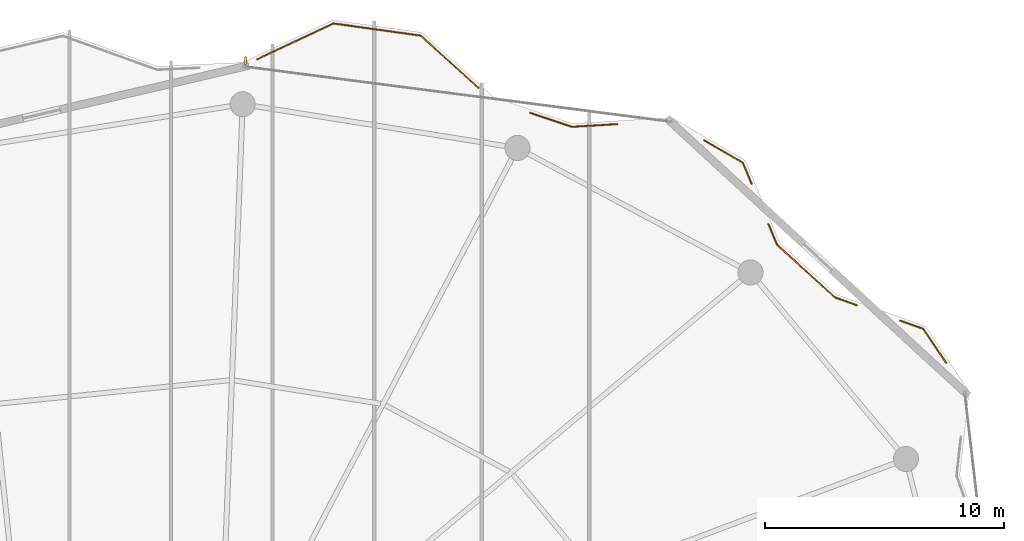
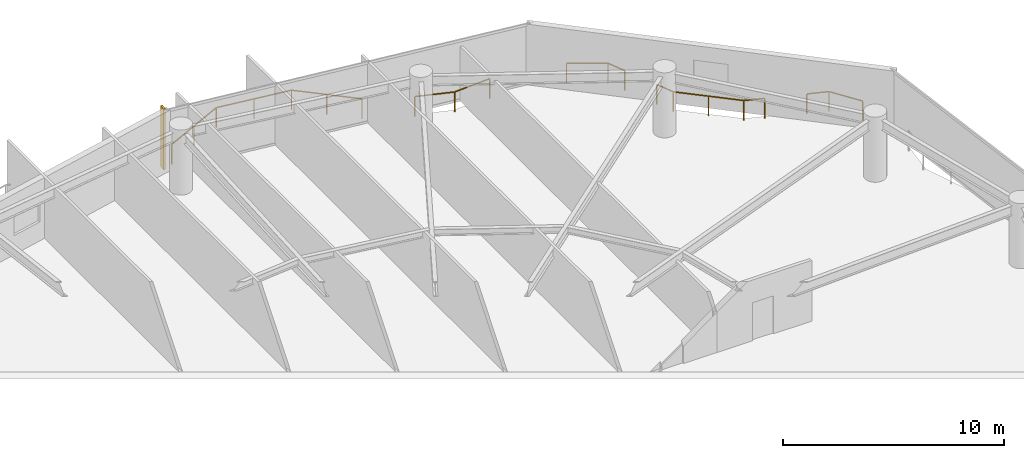
# One storey, part 31 of 31: 5 railings, 1 shading device.
"""IFC4 building model written with IfcOpenShell, lengths in metres."""

from ifc_helpers import new_model, si_unit, direction, frame, origin, origin_2d, place, context, subcontext, project, spatial, rectangle, extrude, material, type_object, element, save


model = new_model("IFC4")

# Units and contexts
model_context = context("Model", 3, precision=1e-05, world=origin(), true_north=direction((0.0, 1.0)))
body_context = subcontext(model_context, "Body", "Model", "MODEL_VIEW")
ifc_project = project(units=[si_unit("LENGTHUNIT", "METRE"), si_unit("AREAUNIT", "SQUARE_METRE"), si_unit("VOLUMEUNIT", "CUBIC_METRE"), si_unit("PLANEANGLEUNIT", "RADIAN"), si_unit("MASSUNIT", "GRAM", prefix="KILO")], contexts=[model_context])

# Site, building, storey
site_placement = place(None, origin())
site = spatial("IfcSite", under=ifc_project, at=site_placement, CompositionType="ELEMENT")
building_placement = place(site_placement, origin())
building = spatial("IfcBuilding", under=site, at=building_placement, Name="Kazevale Care Tower and Concert Hall", CompositionType="ELEMENT")
storey_placement = place(building_placement, frame((0.0, 0.0, 220.800048828125)))
storey = spatial("IfcBuildingStorey", under=building, at=storey_placement, Name="L58", CompositionType="ELEMENT", Elevation=220.800048828125)

# Railings
ifc_material_1 = material(Name="Anodised Bronze Aluminium and Laminated Glass", Category="aluminium")
railing_type = type_object("IfcRailingType", Name="Balcony and Terrace Balustrade 1120", PredefinedType="BALUSTRADE", material=ifc_material_1)
railing_1_placement = place(storey_placement, frame((45.610107421875, 63.931884765625, 0.0)))
element("IfcRailing", 1, at=railing_1_placement, inside=storey, type_object=railing_type, Name="rail:L58:perim:6", PredefinedType="BALUSTRADE", context=body_context, shape_type="SweptSolid", body=[
    extrude(rectangle(XDim=0.048095703125, YDim=0.048095703125, at=origin_2d()), frame((0.0, 0.0, 1.09619140625), z_axis=(0.905100997077, 0.42519664285, 0.0), x_axis=(-0.42519664285, 0.905100997077, 0.0)), (0.0, 0.0, 1.0), 3.525390625),
    extrude(rectangle(XDim=0.048095703125, YDim=0.048095703125, at=origin_2d()), frame((3.19091796875, 1.4990234375, 1.09619140625), z_axis=(0.990362854901, -0.138496987809, 0.0), x_axis=(0.138496987809, 0.990362854901, 0.0)), (0.0, 0.0, 1.0), 3.682373046875),
    extrude(rectangle(XDim=0.048095703125, YDim=0.048095703125, at=origin_2d()), frame((6.837890625, 0.989013671875, 1.09619140625), z_axis=(0.74237767764, -0.669981629407, 0.0), x_axis=(0.669981629407, 0.74237767764, 0.0)), (0.0, 0.0, 1.0), 3.260986328125),
    extrude(rectangle(XDim=0.0419921875, YDim=0.0419921875, at=origin_2d()), origin(), (0.0, 0.0, 1.0), 1.072021484375),
    extrude(rectangle(XDim=0.0419921875, YDim=0.0419921875, at=origin_2d()), frame((1.595458984375, 0.74951171875, 0.0)), (0.0, 0.0, 1.0), 1.072021484375),
    extrude(rectangle(XDim=0.0419921875, YDim=0.0419921875, at=origin_2d()), frame((3.19091796875, 1.4990234375, 0.0)), (0.0, 0.0, 1.0), 1.072021484375),
    extrude(rectangle(XDim=0.0419921875, YDim=0.0419921875, at=origin_2d()), frame((5.014404296875, 1.244140625, 0.0)), (0.0, 0.0, 1.0), 1.072021484375),
    extrude(rectangle(XDim=0.0419921875, YDim=0.0419921875, at=origin_2d()), frame((6.837890625, 0.989013671875, 0.0)), (0.0, 0.0, 1.0), 1.072021484375),
    extrude(rectangle(XDim=0.0419921875, YDim=0.0419921875, at=origin_2d()), frame((8.04833984375, -0.103515625, 0.0)), (0.0, 0.0, 1.0), 1.072021484375),
    extrude(rectangle(XDim=0.0419921875, YDim=0.0419921875, at=origin_2d()), frame((9.2587890625, -1.19580078125, 0.0)), (0.0, 0.0, 1.0), 1.072021484375),
])
railing_2_placement = place(storey_placement, frame((57.032958984375, 61.68994140625, 0.0)))
element("IfcRailing", 2, at=railing_2_placement, inside=storey, type_object=railing_type, Name="rail:L58:perim:7", PredefinedType="BALUSTRADE", context=body_context, shape_type="SweptSolid", body=[
    extrude(rectangle(XDim=0.048095703125, YDim=0.048095703125, at=origin_2d()), frame((0.0, 0.0, 1.09619140625), z_axis=(0.948045105832, -0.318135941554, 0.0), x_axis=(0.318135941554, 0.948045105832, 0.0)), (0.0, 0.0, 1.0), 1.841796875),
    extrude(rectangle(XDim=0.048095703125, YDim=0.048095703125, at=origin_2d()), frame((1.74609375, -0.5859375, 1.09619140625), z_axis=(0.998181354811, 0.060282525723, 0.0), x_axis=(-0.060282525723, 0.998181354811, 0.0)), (0.0, 0.0, 1.0), 1.907470703125),
    extrude(rectangle(XDim=0.0419921875, YDim=0.0419921875, at=origin_2d()), origin(), (0.0, 0.0, 1.0), 1.072021484375),
    extrude(rectangle(XDim=0.0419921875, YDim=0.0419921875, at=origin_2d()), frame((1.74609375, -0.5859375, 0.0)), (0.0, 0.0, 1.0), 1.072021484375),
    extrude(rectangle(XDim=0.0419921875, YDim=0.0419921875, at=origin_2d()), frame((3.650146484375, -0.470947265625, 0.0)), (0.0, 0.0, 1.0), 1.072021484375),
])
railing_3_placement = place(storey_placement, frame((64.31298828125, 60.54296875, 0.0)))
element("IfcRailing", 3, at=railing_3_placement, inside=storey, type_object=railing_type, Name="rail:L58:perim:8", PredefinedType="BALUSTRADE", context=body_context, shape_type="SweptSolid", body=[
    extrude(rectangle(XDim=0.048095703125, YDim=0.048095703125, at=origin_2d()), frame((0.0, 0.0, 1.09619140625), z_axis=(0.863897008105, -0.503668501483, 0.0), x_axis=(0.503668501483, 0.863897008105, 0.0)), (0.0, 0.0, 1.0), 1.8740234375),
    extrude(rectangle(XDim=0.048095703125, YDim=0.048095703125, at=origin_2d()), frame((1.618896484375, -0.94384765625, 1.09619140625), z_axis=(0.384958845263, -0.922933739471, 0.0), x_axis=(0.922933739471, 0.384958845263, 0.0)), (0.0, 0.0, 1.0), 0.958984375),
    extrude(rectangle(XDim=0.0419921875, YDim=0.0419921875, at=origin_2d()), origin(), (0.0, 0.0, 1.0), 1.072021484375),
    extrude(rectangle(XDim=0.0419921875, YDim=0.0419921875, at=origin_2d()), frame((1.618896484375, -0.94384765625, 0.0)), (0.0, 0.0, 1.0), 1.072021484375),
    extrude(rectangle(XDim=0.0419921875, YDim=0.0419921875, at=origin_2d()), frame((1.988037109375, -1.828857421875, 0.0)), (0.0, 0.0, 1.0), 1.072021484375),
])
railing_4_placement = place(storey_placement, frame((67.0029296875, 57.037109375, 0.0)))
element("IfcRailing", 4, at=railing_4_placement, inside=storey, type_object=railing_type, Name="rail:L58:perim:9", PredefinedType="BALUSTRADE", context=body_context, shape_type="SweptSolid", body=[
    extrude(rectangle(XDim=0.048095703125, YDim=0.048095703125, at=origin_2d()), frame((0.0, 0.0, 1.09619140625), z_axis=(0.385400252226, -0.922749503161, 0.0), x_axis=(0.922749503161, 0.385400252226, 0.0)), (0.0, 0.0, 1.0), 0.949462890625),
    extrude(rectangle(XDim=0.048095703125, YDim=0.048095703125, at=origin_2d()), frame((0.365966796875, -0.876220703125, 1.09619140625), z_axis=(0.740453598396, -0.672107482939, 0.0), x_axis=(0.672107482939, 0.740453598396, 0.0)), (0.0, 0.0, 1.0), 3.2685546875),
    extrude(rectangle(XDim=0.048095703125, YDim=0.048095703125, at=origin_2d()), frame((2.7861328125, -3.072998046875, 1.09619140625), z_axis=(0.941931266787, -0.33580573052, 0.0), x_axis=(0.33580573052, 0.941931266787, 0.0)), (0.0, 0.0, 1.0), 0.9619140625),
    extrude(rectangle(XDim=0.0419921875, YDim=0.0419921875, at=origin_2d()), origin(), (0.0, 0.0, 1.0), 1.072021484375),
    extrude(rectangle(XDim=0.0419921875, YDim=0.0419921875, at=origin_2d()), frame((0.365966796875, -0.876220703125, 0.0)), (0.0, 0.0, 1.0), 1.072021484375),
    extrude(rectangle(XDim=0.0419921875, YDim=0.0419921875, at=origin_2d()), frame((1.576171875, -1.974609375, 0.0)), (0.0, 0.0, 1.0), 1.072021484375),
    extrude(rectangle(XDim=0.0419921875, YDim=0.0419921875, at=origin_2d()), frame((2.7861328125, -3.072998046875, 0.0)), (0.0, 0.0, 1.0), 1.072021484375),
    extrude(rectangle(XDim=0.0419921875, YDim=0.0419921875, at=origin_2d()), frame((3.692138671875, -3.39599609375, 0.0)), (0.0, 0.0, 1.0), 1.072021484375),
])
railing_5_placement = place(storey_placement, frame((72.527099609375, 52.989013671875, 0.0)))
element("IfcRailing", 5, at=railing_5_placement, inside=storey, type_object=railing_type, Name="rail:L58:perim:10", PredefinedType="BALUSTRADE", context=body_context, shape_type="SweptSolid", body=[
    extrude(rectangle(XDim=0.048095703125, YDim=0.048095703125, at=origin_2d()), frame((0.0, 0.0, 1.09619140625), z_axis=(0.941882879888, -0.335941424319, 0.0), x_axis=(0.335941424319, 0.941882879888, 0.0)), (0.0, 0.0, 1.0), 1.01806640625),
    extrude(rectangle(XDim=0.048095703125, YDim=0.048095703125, at=origin_2d()), frame((0.958984375, -0.342041015625, 1.09619140625), z_axis=(0.558028145129, -0.829822022631, 0.0), x_axis=(0.829822022631, 0.558028145129, 0.0)), (0.0, 0.0, 1.0), 1.70751953125),
    extrude(rectangle(XDim=0.0419921875, YDim=0.0419921875, at=origin_2d()), origin(), (0.0, 0.0, 1.0), 1.072021484375),
    extrude(rectangle(XDim=0.0419921875, YDim=0.0419921875, at=origin_2d()), frame((0.958984375, -0.342041015625, 0.0)), (0.0, 0.0, 1.0), 1.072021484375),
    extrude(rectangle(XDim=0.0419921875, YDim=0.0419921875, at=origin_2d()), frame((1.911865234375, -1.759033203125, 0.0)), (0.0, 0.0, 1.0), 1.072021484375),
])

# Shading device
ifc_material_2 = material(Name="Anodised Bronze Aluminium", Category="aluminium")
shading_device_type = type_object("IfcShadingDeviceType", Name="Waist Anodised Bronze-Stone Fin FIN-02", PredefinedType="USERDEFINED", material=ifc_material_2)
shading_device_placement = place(storey_placement, frame((45.116455078125, 63.870849609375, 0.0), z_axis=(0.0, 0.0, 1.0), x_axis=(0.128103248172, 0.991760837, 0.0)))
element("IfcShadingDevice", 6, at=shading_device_placement, inside=storey, type_object=shading_device_type, Name="cw:L58:f16:fin", ObjectType="FIN", PredefinedType="USERDEFINED", context=body_context, shape_type="SweptSolid", body=[
    extrude(rectangle(XDim=0.340087890625, YDim=0.10009765625, at=origin_2d()), origin(), (0.0, 0.0, 1.0), 3.360107421875),
])

save(model, "model.ifc")
